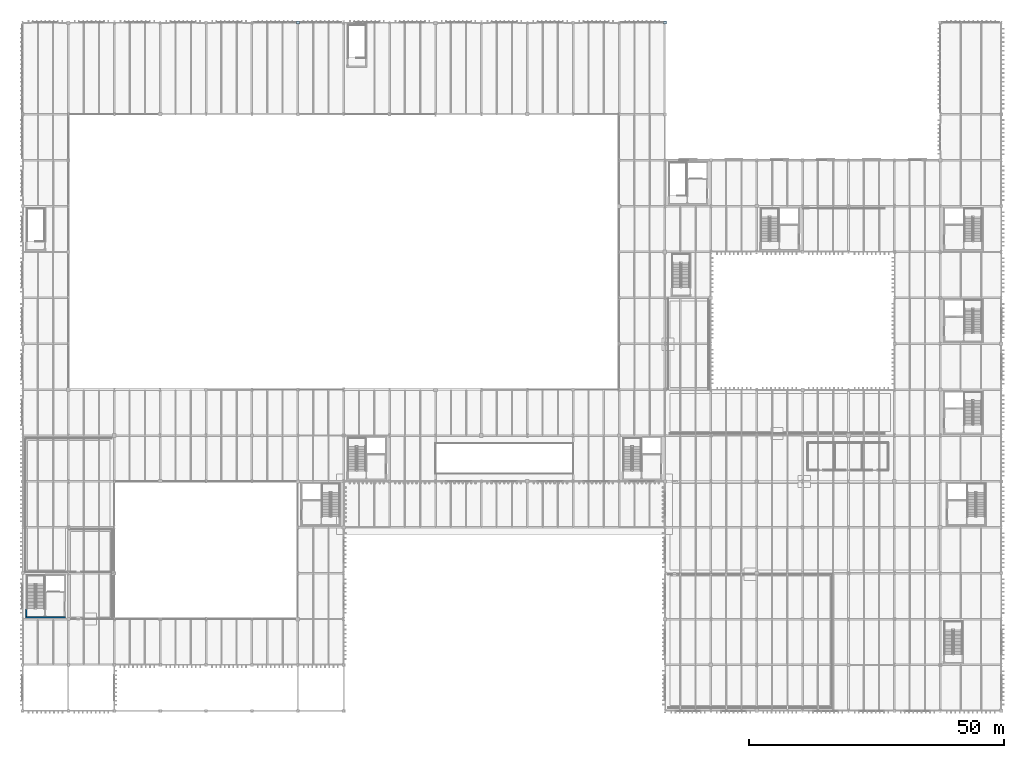
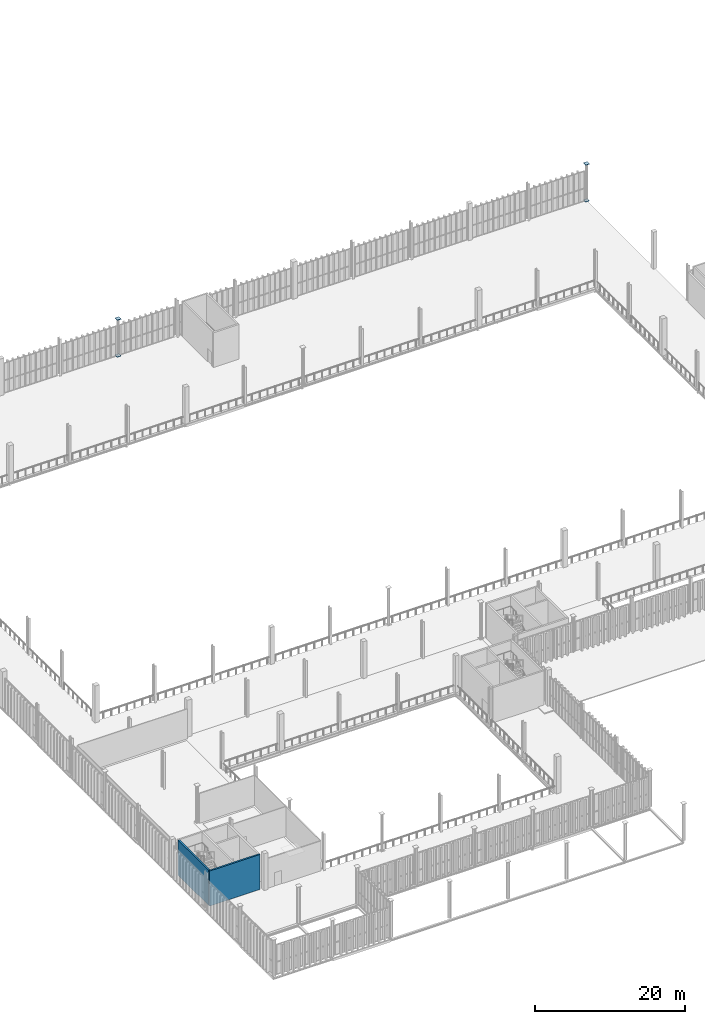
# One storey, part 175 of 211: 4 plates, 2 walls.
"""IFC4 building model written with IfcOpenShell, lengths in metres."""

import ifcopenshell
import ifcopenshell.guid

model = None  # the IFC model being written
_history = None  # IfcOwnerHistory: only IFC2X3 demands one
_inside = {}  # id of a spatial element -> (the spatial element, [elements in it])
_under = {}  # id of a project, library or spatial element -> (it, [spatial elements below it])
_declared = {}  # id of a project -> (the project, [libraries it declares])
_typed = {}  # id of a type object -> (the type object, [elements of that type])
_made_of = {}  # id of a material, layer set ... -> (it, [elements and type objects made of it])


def new_model(schema):
    """Start an empty IFC model of exactly this schema.

    Asked for "IFC4X3", IfcOpenShell would pick the latest addendum, in which some entities
    have other attributes; the version numbers below select the first issue.
    IFC2X3 requires an IfcOwnerHistory on every rooted entity: one is made here for all.
    """
    global model, _history
    if schema == "IFC4X3":
        model = ifcopenshell.file(schema_version=(4, 3, 0, 0))
    else:
        model = ifcopenshell.file(schema=schema)
    _inside.clear()
    _under.clear()
    _declared.clear()
    _typed.clear()
    _made_of.clear()
    _history = None
    if model.schema == "IFC2X3":
        org = make("IfcOrganization", Name="unknown")
        user = make(
            "IfcPersonAndOrganization",
            ThePerson=make("IfcPerson", FamilyName="unknown"),
            TheOrganization=org,
        )
        app = make(
            "IfcApplication",
            ApplicationDeveloper=org,
            Version="unknown",
            ApplicationFullName="unknown",
            ApplicationIdentifier="unknown",
        )
        _history = make(
            "IfcOwnerHistory",
            OwningUser=user,
            OwningApplication=app,
            ChangeAction="ADDED",
            CreationDate=0,
        )
    return model


def make(cls, **values):
    """One entity of the class cls with the attributes given. An attribute that is None is left unset."""
    return model.create_entity(
        cls, **{name: value for name, value in values.items() if value is not None}
    )


def rooted(cls, **values):
    """An entity with a GlobalId (a new one), such as an element, a storey or a relation."""
    return make(cls, GlobalId=ifcopenshell.guid.new(), OwnerHistory=_history, **values)


def si_unit(unit_type, name, prefix=None):
    """IfcSIUnit, for example si_unit("LENGTHUNIT", "METRE", prefix="MILLI")."""
    return make("IfcSIUnit", UnitType=unit_type, Prefix=prefix, Name=name)


def assignment(units):
    """IfcUnitAssignment: the units of a project."""
    return None if units is None else make("IfcUnitAssignment", Units=units)


def point(xyz):
    """IfcCartesianPoint."""
    return None if xyz is None else make("IfcCartesianPoint", Coordinates=xyz)


def direction(xyz):
    """IfcDirection."""
    return None if xyz is None else make("IfcDirection", DirectionRatios=xyz)


def frame(location, z_axis=None, x_axis=None):
    """IfcAxis2Placement3D, a coordinate frame: its origin and axes. An axis left out is left unset."""
    return make(
        "IfcAxis2Placement3D",
        Location=point(location),
        Axis=direction(z_axis),
        RefDirection=direction(x_axis),
    )


def frame_2d(location, x_axis=None):
    """IfcAxis2Placement2D, a coordinate frame in the plane: its origin and x axis."""
    return make(
        "IfcAxis2Placement2D", Location=point(location), RefDirection=direction(x_axis)
    )


def origin():
    """The frame at (0, 0, 0) with its axes left unset."""
    return frame((0.0, 0.0, 0.0))


def origin_2d():
    """The frame at (0, 0) in the plane with its x axis left unset."""
    return frame_2d((0.0, 0.0))


def place(relative_to, where):
    """IfcLocalPlacement: puts the frame where relative to a parent placement (None: the world)."""
    return make(
        "IfcLocalPlacement", PlacementRelTo=relative_to, RelativePlacement=where
    )


def context(
    kind, dimensions, precision=None, world=None, true_north=None, identifier=None
):
    """IfcGeometricRepresentationContext, for example the 3D "Model" context."""
    return make(
        "IfcGeometricRepresentationContext",
        ContextIdentifier=identifier,
        ContextType=kind,
        CoordinateSpaceDimension=dimensions,
        Precision=precision,
        WorldCoordinateSystem=world,
        TrueNorth=true_north,
    )


def subcontext(parent, identifier, kind, view, scale=None):
    """IfcGeometricRepresentationSubContext, for example "Body" below "Model"."""
    return make(
        "IfcGeometricRepresentationSubContext",
        ContextIdentifier=identifier,
        ContextType=kind,
        ParentContext=parent,
        TargetScale=scale,
        TargetView=view,
    )


def project(units=None, contexts=None):
    """IfcProject with its units and contexts."""
    return rooted(
        "IfcProject",
        Name="project",
        RepresentationContexts=contexts,
        UnitsInContext=assignment(units),
    )


def spatial(cls, under=None, at=None, **own):
    """A site, building, storey or space (cls), placed at a placement, below another one or the project."""
    s = rooted(cls, ObjectPlacement=at, **own)
    if under is not None:
        _under.setdefault(under.id(), (under, []))[1].append(s)
    return s


def profile(cls, at=None, kind="AREA", **sizes):
    """A parametric profile (cls). Its sizes go by their IFC names, for example OverallWidth=200.0."""
    return make(cls, ProfileType=kind, Position=at, **sizes)


def rectangle(**sizes):
    """IfcRectangleProfileDef."""
    return profile("IfcRectangleProfileDef", **sizes)


def extrude(swept, where, along, depth):
    """IfcExtrudedAreaSolid: the profile swept, set in the frame where, extruded along a direction by depth."""
    return make(
        "IfcExtrudedAreaSolid",
        SweptArea=swept,
        Position=where,
        ExtrudedDirection=direction(along),
        Depth=depth,
    )


def shape(context_of_items, identifier, shape_type, items):
    """IfcShapeRepresentation: the items that make up one representation, for example the "Body"."""
    return make(
        "IfcShapeRepresentation",
        ContextOfItems=context_of_items,
        RepresentationIdentifier=identifier,
        RepresentationType=shape_type,
        Items=items,
    )


def material(Name=None, Category=None):
    """IfcMaterial."""
    return make("IfcMaterial", Name=Name, Category=Category)


def layer(
    of_material, thickness, ventilated=None, Name=None, Category=None, Priority=None
):
    """IfcMaterialLayer: one layer of a wall or slab, of a material (None: an air gap)."""
    return make(
        "IfcMaterialLayer",
        Material=of_material,
        LayerThickness=thickness,
        IsVentilated=ventilated,
        Name=Name,
        Category=Category,
        Priority=Priority,
    )


def layer_set(layers, Name=None):
    """IfcMaterialLayerSet."""
    return make("IfcMaterialLayerSet", MaterialLayers=layers, LayerSetName=Name)


def made_of(thing, what):
    """Note that an element or type object is made of a material, layer set ...; save() writes the relation."""
    if what is not None:
        _made_of.setdefault(what.id(), (what, []))[1].append(thing)
    return thing


def type_object(cls, material=None, **own):
    """A type object (cls), such as IfcWallType, which elements share."""
    return made_of(rooted(cls, **own), material)


def element(
    cls,
    number,
    at=None,
    inside=None,
    cuts=None,
    type_object=None,
    material=None,
    context=None,
    identifier="Body",
    shape_type=None,
    held_by="IfcProductDefinitionShape",
    body=None,
    shapes=None,
    **own,
):
    """One element of the class cls, such as IfcWall. Its Tag is "e" and its number.

    at: its placement. inside: the storey or other place that contains it. cuts: it is an
    opening in that element (IfcRelVoidsElement). A single representation is given by context,
    identifier, shape_type and body (its items); several are given by shapes. held_by: the class
    of the entity that holds the representations. save() writes the other relations.
    """
    e = rooted(cls, Tag="e%d" % number, ObjectPlacement=at, **own)
    if body is not None:
        shapes = [shape(context, identifier, shape_type, body)]
    if shapes is not None:
        e.Representation = make(held_by, Representations=shapes)
    if inside is not None:
        _inside.setdefault(inside.id(), (inside, []))[1].append(e)
    if cuts is not None:
        rooted(
            "IfcRelVoidsElement", RelatingBuildingElement=cuts, RelatedOpeningElement=e
        )
    if type_object is not None:
        _typed.setdefault(type_object.id(), (type_object, []))[1].append(e)
    return made_of(e, material)


def aggregate(whole, parts):
    """IfcRelAggregates: a whole, such as a stair, and the parts it consists of."""
    return rooted("IfcRelAggregates", RelatingObject=whole, RelatedObjects=parts)


def save(model, path):
    """Write the relations noted so far, then the file.

    IfcRelAggregates (storeys below a building ...), IfcRelContainedInSpatialStructure (elements
    in a storey), IfcRelDefinesByType, IfcRelAssociatesMaterial and IfcRelDeclares: one each for
    every whole, place, type object, material and project.
    """
    for whole, parts in _under.values():
        aggregate(whole, parts)
    for where, things in _inside.values():
        rooted(
            "IfcRelContainedInSpatialStructure",
            RelatedElements=things,
            RelatingStructure=where,
        )
    for kind, things in _typed.values():
        rooted("IfcRelDefinesByType", RelatedObjects=things, RelatingType=kind)
    for what, things in _made_of.values():
        rooted("IfcRelAssociatesMaterial", RelatedObjects=things, RelatingMaterial=what)
    for by, libraries in _declared.values():
        rooted("IfcRelDeclares", RelatingContext=by, RelatedDefinitions=libraries)
    model.write(path)


model = new_model("IFC4")

# Units and contexts
model_context = context("Model", 3, precision=1e-05, world=origin(), true_north=direction((0.0, 1.0)))
body_context = subcontext(model_context, "Body", "Model", "MODEL_VIEW")
ifc_project = project(units=[si_unit("LENGTHUNIT", "METRE"), si_unit("AREAUNIT", "SQUARE_METRE"), si_unit("VOLUMEUNIT", "CUBIC_METRE"), si_unit("PLANEANGLEUNIT", "RADIAN"), si_unit("MASSUNIT", "GRAM", prefix="KILO")], contexts=[model_context])

# Site, building, storey
site_placement = place(None, origin())
site = spatial("IfcSite", under=ifc_project, at=site_placement, CompositionType="ELEMENT")
building_placement = place(site_placement, origin())
building = spatial("IfcBuilding", under=site, at=building_placement, Name="Barlavento Convention Centre", CompositionType="ELEMENT")
storey_placement = place(building_placement, frame((0.0, 0.0, 6.0)))
storey = spatial("IfcBuildingStorey", under=building, at=storey_placement, Name="L01", CompositionType="ELEMENT", Elevation=6.0)

# Plates
ifc_material_1 = material(Name="Steel S355", Category="steel")
ifc_layer_1 = layer(ifc_material_1, 0.06005859375)
ifc_layer_set_1 = layer_set([ifc_layer_1], Name="STR-PLT-CAP-620")
plate_type = type_object("IfcPlateType", Name="STR-PLT-CAP-620", PredefinedType="SHEET", material=ifc_layer_set_1)
for number, where, z_axis, x_axis, name in (
    (1, (54.0, 135.0, 5.969970703125), (0.0, 0.0, 1.0), (1.0, 0.0, 0.0), "Hollow column sealing end-cap plate EC04"),
    (2, (54.0, 135.0, -0.030029296875), (0.0, 0.0, 1.0), (1.0, 0.0, 0.0), "Hollow column sealing end-cap plate EC04"),
    (3, (126.0, 135.0, 5.969970703125), (0.0, 0.0, 1.0), (1.0, 0.0, 0.0), "Hollow column sealing end-cap plate EC04"),
    (4, (126.0, 135.0, -0.030029296875), (0.0, 0.0, 1.0), (1.0, 0.0, 0.0), "Hollow column sealing end-cap plate EC04"),
):
    element("IfcPlate", number, at=place(storey_placement, frame(where, z_axis=z_axis, x_axis=x_axis)), inside=storey, type_object=plate_type, Name=name, PredefinedType="SHEET", context=body_context, shape_type="SweptSolid", body=[
        extrude(rectangle(XDim=0.6201171875, YDim=0.6201171875, at=origin_2d()), origin(), (0.0, 0.0, 1.0), 0.06005859375),
    ])

# Walls
ifc_material_2 = material(Name="Concrete C50/60", Category="concrete")
ifc_layer_2 = layer(ifc_material_2, 0.25)
ifc_layer_set_2 = layer_set([ifc_layer_2], Name="STR-WL-CORE-250")
wall_type = type_object("IfcWallType", Name="STR-WL-CORE-250", PredefinedType="SHEAR", material=ifc_layer_set_2)
wall_1_placement = place(storey_placement, frame((0.72509765625, 18.469970703125, 0.0), z_axis=(0.0, 0.0, 1.0), x_axis=(0.0, 1.0, 0.0)))
element("IfcWall", 5, at=wall_1_placement, inside=storey, type_object=wall_type, Name="L01 interior wall CW-02", PredefinedType="SHEAR", context=body_context, shape_type="SweptSolid", body=[
    extrude(rectangle(XDim=8.06005859375, YDim=0.25, at=frame_2d((4.030029296875, 0.0))), origin(), (0.0, 0.0, 1.0), 5.699951171875),
])
wall_2_placement = place(storey_placement, frame((0.60009765625, 18.344970703125, 0.0), z_axis=(0.0, 0.0, 1.0), x_axis=(1.0, 0.0, 0.0)))
element("IfcWall", 6, at=wall_2_placement, inside=storey, type_object=wall_type, Name="L01 interior wall CW-02", PredefinedType="SHEAR", context=body_context, shape_type="SweptSolid", body=[
    extrude(rectangle(XDim=7.7998046875, YDim=0.25, at=frame_2d((3.89990234375, 0.0))), origin(), (0.0, 0.0, 1.0), 5.699951171875),
])

save(model, "model.ifc")
